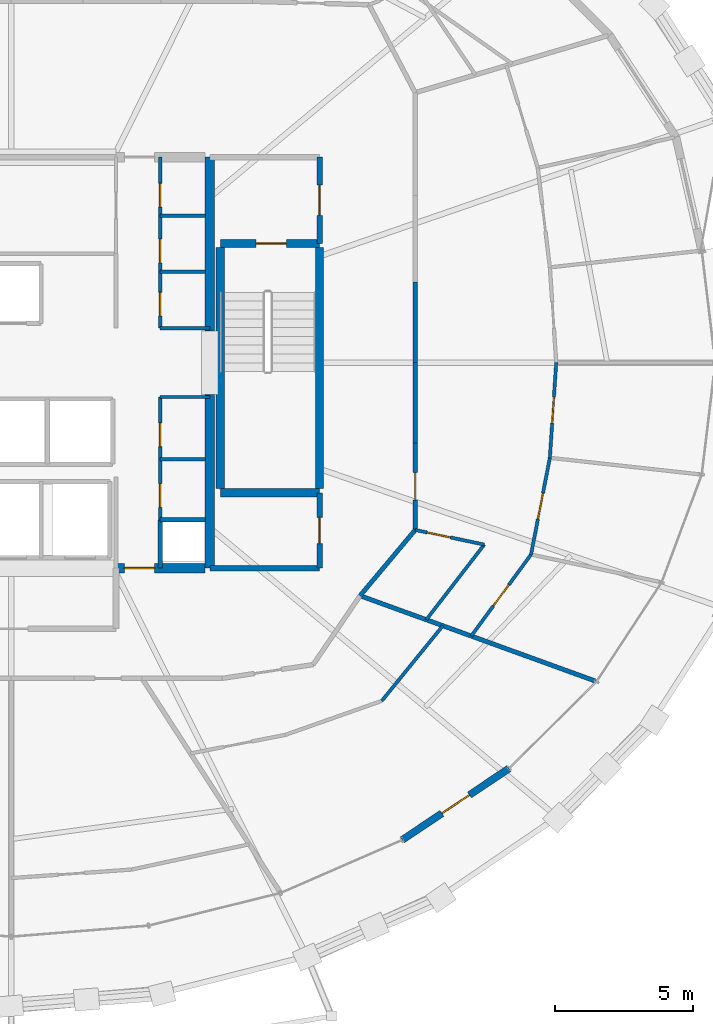
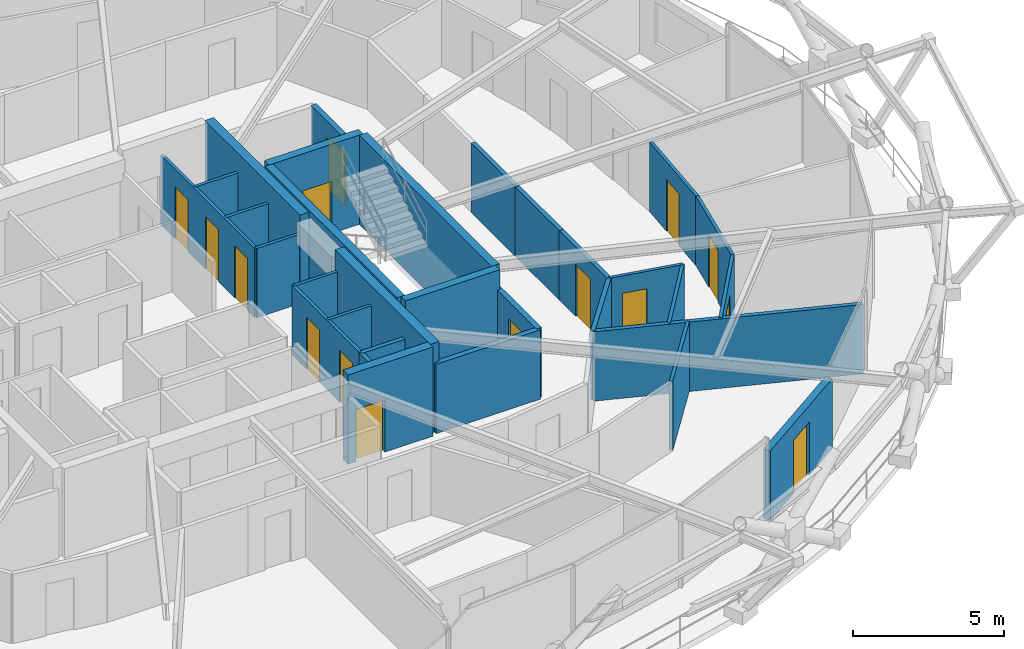
# One storey, part 16 of 20: 31 walls, 15 doors, 15 openings.
"""IFC4 building model written with IfcOpenShell, lengths in metres."""

from ifc_helpers import new_model, si_unit, direction, frame, frame_2d, origin, place, context, subcontext, project, spatial, rectangle, extrude, material, layer, layer_set, type_object, element, fill, save


model = new_model("IFC4")

# Units and contexts
model_context = context("Model", 3, precision=1e-05, world=origin(), true_north=direction((0.0, 1.0)))
body_context = subcontext(model_context, "Body", "Model", "MODEL_VIEW")
ifc_project = project(units=[si_unit("LENGTHUNIT", "METRE"), si_unit("AREAUNIT", "SQUARE_METRE"), si_unit("VOLUMEUNIT", "CUBIC_METRE"), si_unit("PLANEANGLEUNIT", "RADIAN"), si_unit("MASSUNIT", "GRAM", prefix="KILO")], contexts=[model_context])

# Site, building, storey
site_placement = place(None, origin())
site = spatial("IfcSite", under=ifc_project, at=site_placement, CompositionType="ELEMENT")
building_placement = place(site_placement, origin())
building = spatial("IfcBuilding", under=site, at=building_placement, Name="Veldorina Hangang Commons", CompositionType="ELEMENT")
storey_placement = place(building_placement, frame((0.0, 0.0, 171.199951171875)))
storey = spatial("IfcBuildingStorey", under=building, at=storey_placement, Name="L44", CompositionType="ELEMENT", Elevation=171.199951171875)

# Walls
ifc_material_1 = material(Name="Concrete C60/75", Category="concrete")
ifc_layer_1 = layer(ifc_material_1, 0.340087890625)
ifc_layer_set_1 = layer_set([ifc_layer_1], Name="Concrete C60/75")
wall_type_1 = type_object("IfcWallType", Name="CW-RC340-C60", PredefinedType="SHEAR", material=ifc_layer_set_1)
for number, where, z_axis, x_axis, name in (
    (1, (39.199951171875, 16.550048828125, 0.0), (0.0, 0.0, 1.0), (0.0, 1.0, 0.0), "L44 E south core shear wall"),
    (2, (39.199951171875, 25.14990234375, 0.0), (0.0, 0.0, 1.0), (0.0, 1.0, 0.0), "L44 E north core shear wall"),
):
    element("IfcWall", number, at=place(storey_placement, frame(where, z_axis=z_axis, x_axis=x_axis)), inside=storey, type_object=wall_type_1, Name=name, PredefinedType="SHEAR", context=body_context, shape_type="SweptSolid", body=[
        extrude(rectangle(XDim=6.300048828125, YDim=0.340087890625, at=frame_2d((3.14990234375, 0.0))), origin(), (0.0, 0.0, 1.0), 3.60009765625),
    ])

# Wall, opening, door
wall_1_placement = place(storey_placement, frame((35.800048828125, 16.550048828125, 0.0), z_axis=(0.0, 0.0, 1.0), x_axis=(1.0, 0.0, 0.0)))
wall_1 = element("IfcWall", 3, at=wall_1_placement, inside=storey, type_object=wall_type_1, Name="L44 south-east core shear wall", PredefinedType="SHEAR", context=body_context, shape_type="SweptSolid", body=[
    extrude(rectangle(XDim=3.22998046875, YDim=0.340087890625, at=frame_2d((1.614990234375, 0.0))), origin(), (0.0, 0.0, 1.0), 3.60009765625),
])
opening_1_placement = place(wall_1_placement, frame((0.300048828125, 0.0, 0.0)))
opening_1 = element("IfcOpeningElement", 4, at=opening_1_placement, cuts=wall_1, Name="Opening D-08", PredefinedType="OPENING", context=body_context, shape_type="SweptSolid", body=[
    extrude(rectangle(XDim=1.10009765625, YDim=2.10009765625, at=frame_2d((0.550048828125, 1.050048828125))), frame((0.0, 0.18017578125, 0.0), z_axis=(0.0, -1.0, 0.0), x_axis=(1.0, 0.0, 0.0)), (0.0, 0.0, 1.0), 0.360107421875),
])
ifc_material_2 = material(Name="Steel Fire-Rated Smoke Seal", Category="steel")
door_type_1 = type_object("IfcDoorType", Name="DR-FIRE-1100", OperationType="SINGLE_SWING_RIGHT", PredefinedType="DOOR", material=ifc_material_2)
door_1_placement = place(opening_1_placement, origin())
door_1 = element("IfcDoor", 5, at=door_1_placement, inside=storey, type_object=door_type_1, Name="L44 central lift lobby south corridor door", OperationType="SINGLE_SWING_RIGHT", OverallHeight=2.10009765625, OverallWidth=1.10009765625, PredefinedType="DOOR", context=body_context, shape_type="SweptSolid", body=[
    extrude(rectangle(XDim=1.10009765625, YDim=2.10009765625, at=frame_2d((0.550048828125, 1.050048828125))), frame((0.0, 0.02490234375, 0.0), z_axis=(0.0, -1.0, 0.0), x_axis=(1.0, 0.0, 0.0)), (0.0, 0.0, 1.0), 0.050048828125),
])
fill(opening_1, door_1)

ifc_material_3 = material(Name="Stone Roman Travertine", Category="masonry")
ifc_layer_2 = layer(ifc_material_3, 0.260009765625)
ifc_layer_set_2 = layer_set([ifc_layer_2], Name="Stone Roman Travertine")
wall_type_2 = type_object("IfcWallType", Name="EW-LOGGIA-260", PredefinedType="STANDARD", material=ifc_layer_set_2)
wall_2_placement = place(storey_placement, frame((46.1826171875, 6.694091796875, 0.0), z_axis=(0.0, 0.0, 1.0), x_axis=(0.831072563945, 0.556163998707, 0.0)))
wall_2 = element("IfcWall", 6, at=wall_2_placement, inside=storey, type_object=wall_type_2, Name="L44 sky-garden loggia portal wall 27", PredefinedType="STANDARD", context=body_context, shape_type="SweptSolid", body=[
    extrude(rectangle(XDim=4.654541015625, YDim=0.260009765625, at=frame_2d((2.3271484375, 0.0))), origin(), (0.0, 0.0, 1.0), 2.820068359375),
])
opening_2_placement = place(wall_2_placement, frame((1.727294921875, 0.0, 0.0)))
opening_2 = element("IfcOpeningElement", 7, at=opening_2_placement, cuts=wall_2, Name="Opening BD-1200", PredefinedType="OPENING", context=body_context, shape_type="SweptSolid", body=[
    extrude(rectangle(XDim=1.199951171875, YDim=2.14990234375, at=frame_2d((0.60009765625, 1.074951171875))), frame((0.0, 0.14013671875, 0.0), z_axis=(0.0, -1.0, 0.0), x_axis=(1.0, 0.0, 0.0)), (0.0, 0.0, 1.0), 0.280029296875),
])
ifc_material_4 = material(Name="Glass Thermal Aluminium Frame", Category="aluminium")
door_type_2 = type_object("IfcDoorType", Name="DR-EXT-LOG1200", OperationType="SINGLE_SWING_LEFT", PredefinedType="DOOR", material=ifc_material_4)
door_2_placement = place(opening_2_placement, origin())
door_2 = element("IfcDoor", 8, at=door_2_placement, inside=storey, type_object=door_type_2, Name="L44 loggia glazed exterior door 27", OperationType="SINGLE_SWING_RIGHT", OverallHeight=2.14990234375, OverallWidth=1.199951171875, PredefinedType="DOOR", context=body_context, shape_type="SweptSolid", body=[
    extrude(rectangle(XDim=1.199951171875, YDim=2.14990234375, at=frame_2d((0.60009765625, 1.074951171875))), frame((0.0, 0.02490234375, 0.0), z_axis=(0.0, -1.0, 0.0), x_axis=(1.0, 0.0, 0.0)), (0.0, 0.0, 1.0), 0.050048828125),
])
fill(opening_2, door_2)

# Walls
ifc_material_5 = material(Name="Concrete C50/60", Category="concrete")
ifc_layer_3 = layer(ifc_material_5, 0.300048828125)
ifc_layer_set_3 = layer_set([ifc_layer_3], Name="Concrete C50/60")
wall_type_3 = type_object("IfcWallType", Name="SW-STAIR-300", PredefinedType="SHEAR", material=ifc_layer_set_3)
for number, where, z_axis, x_axis, name in (
    (9, (43.179931640625, 19.429931640625, 0.0), (0.0, 0.0, 1.0), (0.0, 1.0, 0.0), "L44 ST2 outer stair shear wall"),
    (10, (39.580078125, 19.429931640625, 0.0), (0.0, 0.0, 1.0), (0.0, 1.0, 0.0), "L44 ST2 inner stair shear wall"),
):
    element("IfcWall", number, at=place(storey_placement, frame(where, z_axis=z_axis, x_axis=x_axis)), inside=storey, type_object=wall_type_3, Name=name, PredefinedType="SHEAR", context=body_context, shape_type="SweptSolid", body=[
        extrude(rectangle(XDim=8.739990234375, YDim=0.300048828125, at=frame_2d((4.3701171875, 0.0))), origin(), (0.0, 0.0, 1.0), 3.60009765625),
    ])
wall_3_placement = place(storey_placement, frame((39.580078125, 19.280029296875, 0.0), z_axis=(0.0, 0.0, 1.0), x_axis=(1.0, 0.0, 0.0)))
element("IfcWall", 11, at=wall_3_placement, inside=storey, type_object=wall_type_3, Name="L44 ST2 south stair shear wall", PredefinedType="SHEAR", context=body_context, shape_type="SweptSolid", body=[
    extrude(rectangle(XDim=3.599853515625, YDim=0.300048828125, at=frame_2d((1.7998046875, 0.0))), origin(), (0.0, 0.0, 1.0), 3.60009765625),
])

# Wall, opening, door
wall_4_placement = place(storey_placement, frame((39.580078125, 28.320068359375, 0.0), z_axis=(0.0, 0.0, 1.0), x_axis=(1.0, 0.0, 0.0)))
wall_4 = element("IfcWall", 12, at=wall_4_placement, inside=storey, type_object=wall_type_3, Name="L44 ST2 north stair shear wall", PredefinedType="SHEAR", context=body_context, shape_type="SweptSolid", body=[
    extrude(rectangle(XDim=3.599853515625, YDim=0.300048828125, at=frame_2d((1.7998046875, 0.0))), origin(), (0.0, 0.0, 1.0), 3.60009765625),
])
opening_3_placement = place(wall_4_placement, frame((1.300048828125, 0.0, 0.0)))
opening_3 = element("IfcOpeningElement", 13, at=opening_3_placement, cuts=wall_4, Name="Opening D-08", PredefinedType="OPENING", context=body_context, shape_type="SweptSolid", body=[
    extrude(rectangle(XDim=1.10009765625, YDim=2.10009765625, at=frame_2d((0.550048828125, 1.050048828125))), frame((0.0, 0.16015625, 0.0), z_axis=(0.0, -1.0, 0.0), x_axis=(1.0, 0.0, 0.0)), (0.0, 0.0, 1.0), 0.320068359375),
])
door_3_placement = place(opening_3_placement, origin())
door_3 = element("IfcDoor", 14, at=door_3_placement, inside=storey, type_object=door_type_1, Name="L44 Special Escape Stair ST-2 door", OperationType="SINGLE_SWING_RIGHT", OverallHeight=2.10009765625, OverallWidth=1.10009765625, PredefinedType="DOOR", context=body_context, shape_type="SweptSolid", body=[
    extrude(rectangle(XDim=1.10009765625, YDim=2.10009765625, at=frame_2d((0.550048828125, 1.050048828125))), frame((0.0, 0.02490234375, 0.0), z_axis=(0.0, -1.0, 0.0), x_axis=(1.0, 0.0, 0.0)), (0.0, 0.0, 1.0), 0.050048828125),
])
fill(opening_3, door_3)

# Walls
ifc_material_6 = material(Name="Gypsum Fire-Rated Twin Stud Wall", Category="gypsum")
ifc_layer_4 = layer(ifc_material_6, 0.159912109375)
ifc_layer_set_4 = layer_set([ifc_layer_4], Name="Gypsum Fire-Rated Twin Stud Wall")
wall_type_4 = type_object("IfcWallType", Name="WL-FIRE-160", PredefinedType="SOLIDWALL", material=ifc_layer_set_4)
wall_5_placement = place(storey_placement, frame((37.39990234375, 16.550048828125, 0.0), z_axis=(0.0, 0.0, 1.0), x_axis=(0.0, 1.0, 0.0)))
element("IfcWall", 15, at=wall_5_placement, inside=storey, type_object=wall_type_4, Name="L44 Lift passage SE stub 010", PredefinedType="SOLIDWALL", context=body_context, shape_type="SweptSolid", body=[
    extrude(rectangle(XDim=1.75, YDim=0.159912109375, at=frame_2d((0.875, 0.0))), origin(), (0.0, 0.0, 1.0), 2.800048828125),
])
wall_6_placement = place(storey_placement, frame((37.39990234375, 18.300048828125, 0.0), z_axis=(0.0, 0.0, 1.0), x_axis=(1.0, 0.0, 0.0)))
element("IfcWall", 16, at=wall_6_placement, inside=storey, type_object=wall_type_4, Name="L44 Plumbing riser wall 037", PredefinedType="SOLIDWALL", context=body_context, shape_type="SweptSolid", body=[
    extrude(rectangle(XDim=1.650146484375, YDim=0.159912109375, at=frame_2d((0.8251953125, 0.0))), origin(), (0.0, 0.0, 1.0), 2.800048828125),
])
wall_7_placement = place(storey_placement, frame((46.64990234375, 24.0, 0.0), z_axis=(0.0, 0.0, 1.0), x_axis=(0.0, 1.0, 0.0)))
element("IfcWall", 17, at=wall_7_placement, inside=storey, type_object=wall_type_4, Name="L44 U-corridor outer wall 00 050", PredefinedType="SOLIDWALL", context=body_context, shape_type="SweptSolid", body=[
    extrude(rectangle(XDim=2.9140625, YDim=0.159912109375, at=frame_2d((1.45703125, 0.0))), origin(), (0.0, 0.0, 1.0), 2.800048828125),
])
wall_8_placement = place(storey_placement, frame((44.64990234375, 15.547607421875, 0.0), z_axis=(0.0, 0.0, 1.0), x_axis=(0.642665742791, 0.76614668507, 0.0)))
element("IfcWall", 18, at=wall_8_placement, inside=storey, type_object=wall_type_4, Name="L44 U-corridor outer wall 29 079", PredefinedType="SOLIDWALL", context=body_context, shape_type="SweptSolid", body=[
    extrude(rectangle(XDim=3.112060546875, YDim=0.159912109375, at=frame_2d((1.55615234375, 0.0))), origin(), (0.0, 0.0, 1.0), 2.800048828125),
])

# Wall, opening, door
wall_9_placement = place(storey_placement, frame((46.64990234375, 17.931884765625, 0.0), z_axis=(0.0, 0.0, 1.0), x_axis=(0.0, 1.0, 0.0)))
wall_9 = element("IfcWall", 19, at=wall_9_placement, inside=storey, type_object=wall_type_4, Name="L44 U-corridor outer wall 30 080", PredefinedType="SOLIDWALL", context=body_context, shape_type="SweptSolid", body=[
    extrude(rectangle(XDim=3.154052734375, YDim=0.159912109375, at=frame_2d((1.5771484375, 0.0))), origin(), (0.0, 0.0, 1.0), 2.800048828125),
])
opening_4_placement = place(wall_9_placement, frame((1.0771484375, 0.0, 0.0)))
opening_4 = element("IfcOpeningElement", 20, at=opening_4_placement, cuts=wall_9, Name="Opening D-06", PredefinedType="OPENING", context=body_context, shape_type="SweptSolid", body=[
    extrude(rectangle(XDim=1.0, YDim=2.10009765625, at=frame_2d((0.5, 1.050048828125))), frame((0.0, 0.08984375, 0.0), z_axis=(0.0, -1.0, 0.0), x_axis=(1.0, 0.0, 0.0)), (0.0, 0.0, 1.0), 0.179931640625),
])
ifc_material_7 = material(Name="Timber Fire-Rated Entrance Core", Category="wood")
door_type_3 = type_object("IfcDoorType", Name="DR-UNIT-1000", OperationType="SINGLE_SWING_LEFT", PredefinedType="DOOR", material=ifc_material_7)
door_4_placement = place(opening_4_placement, origin())
door_4 = element("IfcDoor", 21, at=door_4_placement, inside=storey, type_object=door_type_3, Name="L44 Cluster 2 entrance door 025", OperationType="SINGLE_SWING_LEFT", OverallHeight=2.10009765625, OverallWidth=1.0, PredefinedType="DOOR", context=body_context, shape_type="SweptSolid", body=[
    extrude(rectangle(XDim=1.0, YDim=2.10009765625, at=frame_2d((0.5, 1.050048828125))), frame((0.0, 0.02490234375, 0.0), z_axis=(0.0, -1.0, 0.0), x_axis=(1.0, 0.0, 0.0)), (0.0, 0.0, 1.0), 0.050048828125),
])
fill(opening_4, door_4)

# Walls
wall_10_placement = place(storey_placement, frame((46.64990234375, 21.0859375, 0.0), z_axis=(0.0, 0.0, 1.0), x_axis=(0.0, 1.0, 0.0)))
element("IfcWall", 22, at=wall_10_placement, inside=storey, type_object=wall_type_4, Name="L44 U-corridor outer wall 31 081", PredefinedType="SOLIDWALL", context=body_context, shape_type="SweptSolid", body=[
    extrude(rectangle(XDim=2.9140625, YDim=0.159912109375, at=frame_2d((1.45703125, 0.0))), origin(), (0.0, 0.0, 1.0), 2.800048828125),
])
wall_11_placement = place(storey_placement, frame((44.64990234375, 15.547607421875, 0.0), z_axis=(0.0, 0.0, 1.0), x_axis=(0.940054778658, -0.341023478844, 0.0)))
element("IfcWall", 23, at=wall_11_placement, inside=storey, type_object=wall_type_4, Name="L44 Unit party wall 29 086", PredefinedType="SOLIDWALL", context=body_context, shape_type="SweptSolid", body=[
    extrude(rectangle(XDim=9.07275390625, YDim=0.159912109375, at=frame_2d((4.536376953125, 0.0))), origin(), (0.0, 0.0, 1.0), 2.800048828125),
])

# Wall, opening, door
ifc_material_8 = material(Name="Concrete Blockwork Fire Wall C30/37", Category="masonry")
ifc_layer_5 = layer(ifc_material_8, 0.199951171875)
ifc_layer_set_5 = layer_set([ifc_layer_5], Name="Concrete Blockwork Fire Wall C30/37")
wall_type_5 = type_object("IfcWallType", Name="WL-FIRE-200", PredefinedType="SOLIDWALL", material=ifc_layer_set_5)
wall_12_placement = place(storey_placement, frame((43.179931640625, 28.320068359375, 0.0), z_axis=(0.0, 0.0, 1.0), x_axis=(0.0, 1.0, 0.0)))
wall_12 = element("IfcWall", 24, at=wall_12_placement, inside=storey, type_object=wall_type_5, Name="L44 East vestibule outer wall 003", PredefinedType="SOLIDWALL", context=body_context, shape_type="SweptSolid", body=[
    extrude(rectangle(XDim=3.1298828125, YDim=0.199951171875, at=frame_2d((1.56494140625, 0.0))), origin(), (0.0, 0.0, 1.0), 2.800048828125),
])
opening_5_placement = place(wall_12_placement, frame((1.014892578125, 0.0, 0.0)))
opening_5 = element("IfcOpeningElement", 25, at=opening_5_placement, cuts=wall_12, Name="Opening D-08", PredefinedType="OPENING", context=body_context, shape_type="SweptSolid", body=[
    extrude(rectangle(XDim=1.10009765625, YDim=2.10009765625, at=frame_2d((0.550048828125, 1.050048828125))), frame((0.0, 0.10986328125, 0.0), z_axis=(0.0, -1.0, 0.0), x_axis=(1.0, 0.0, 0.0)), (0.0, 0.0, 1.0), 0.219970703125),
])
door_5_placement = place(opening_5_placement, origin())
door_5 = element("IfcDoor", 26, at=door_5_placement, inside=storey, type_object=door_type_1, Name="L44 East vestibule east door 002", OperationType="SINGLE_SWING_RIGHT", OverallHeight=2.10009765625, OverallWidth=1.10009765625, PredefinedType="DOOR", context=body_context, shape_type="SweptSolid", body=[
    extrude(rectangle(XDim=1.10009765625, YDim=2.10009765625, at=frame_2d((0.550048828125, 1.050048828125))), frame((0.0, 0.02490234375, 0.0), z_axis=(0.0, -1.0, 0.0), x_axis=(1.0, 0.0, 0.0)), (0.0, 0.0, 1.0), 0.050048828125),
])
fill(opening_5, door_5)

wall_13_placement = place(storey_placement, frame((43.179931640625, 16.550048828125, 0.0), z_axis=(0.0, 0.0, 1.0), x_axis=(0.0, 1.0, 0.0)))
wall_13 = element("IfcWall", 27, at=wall_13_placement, inside=storey, type_object=wall_type_5, Name="L44 SE core room outer wall 007", PredefinedType="SOLIDWALL", context=body_context, shape_type="SweptSolid", body=[
    extrude(rectangle(XDim=2.72998046875, YDim=0.199951171875, at=frame_2d((1.364990234375, 0.0))), origin(), (0.0, 0.0, 1.0), 2.800048828125),
])
opening_6_placement = place(wall_13_placement, frame((0.889892578125, 0.0, 0.0)))
opening_6 = element("IfcOpeningElement", 28, at=opening_6_placement, cuts=wall_13, Name="Opening D-02", PredefinedType="OPENING", context=body_context, shape_type="SweptSolid", body=[
    extrude(rectangle(XDim=0.949951171875, YDim=2.10009765625, at=frame_2d((0.47509765625, 1.050048828125))), frame((0.0, 0.10986328125, 0.0), z_axis=(0.0, -1.0, 0.0), x_axis=(1.0, 0.0, 0.0)), (0.0, 0.0, 1.0), 0.219970703125),
])
ifc_material_9 = material(Name="Timber Solid Core Acoustic", Category="wood")
door_type_4 = type_object("IfcDoorType", Name="DR-INT-950", OperationType="SINGLE_SWING_LEFT", PredefinedType="DOOR", material=ifc_material_9)
door_6_placement = place(opening_6_placement, origin())
door_6 = element("IfcDoor", 29, at=door_6_placement, inside=storey, type_object=door_type_4, Name="L44 SE core WC door 004", OperationType="SINGLE_SWING_RIGHT", OverallHeight=2.10009765625, OverallWidth=0.949951171875, PredefinedType="DOOR", context=body_context, shape_type="SweptSolid", body=[
    extrude(rectangle(XDim=0.949951171875, YDim=2.10009765625, at=frame_2d((0.47509765625, 1.050048828125))), frame((0.0, 0.02490234375, 0.0), z_axis=(0.0, -1.0, 0.0), x_axis=(1.0, 0.0, 0.0)), (0.0, 0.0, 1.0), 0.050048828125),
])
fill(opening_6, door_6)

# Wall
wall_14_placement = place(storey_placement, frame((39.199951171875, 16.550048828125, 0.0), z_axis=(0.0, 0.0, 1.0), x_axis=(1.0, 0.0, 0.0)))
element("IfcWall", 30, at=wall_14_placement, inside=storey, type_object=wall_type_5, Name="L44 SE core room south wall 008", PredefinedType="SOLIDWALL", context=body_context, shape_type="SweptSolid", body=[
    extrude(rectangle(XDim=3.97998046875, YDim=0.199951171875, at=frame_2d((1.989990234375, 0.0))), origin(), (0.0, 0.0, 1.0), 2.800048828125),
])

# Wall, openings, doors
ifc_material_10 = material(Name="Gypsum Acoustic Stud Partition", Category="gypsum")
ifc_layer_6 = layer(ifc_material_10, 0.1201171875)
ifc_layer_set_6 = layer_set([ifc_layer_6], Name="Gypsum Acoustic Stud Partition")
wall_type_6 = type_object("IfcWallType", Name="WL-PART-120", PredefinedType="PARTITIONING", material=ifc_layer_set_6)
wall_15_placement = place(storey_placement, frame((37.39990234375, 25.25, 0.0), z_axis=(0.0, 0.0, 1.0), x_axis=(0.0, 1.0, 0.0)))
wall_15 = element("IfcWall", 31, at=wall_15_placement, inside=storey, type_object=wall_type_6, Name="L44 NE strip lobby wall 041", PredefinedType="PARTITIONING", context=body_context, shape_type="SweptSolid", body=[
    extrude(rectangle(XDim=6.199951171875, YDim=0.1201171875, at=frame_2d((3.10009765625, 0.0))), origin(), (0.0, 0.0, 1.0), 2.800048828125),
])
opening_7_placement = place(wall_15_placement, frame((0.43994140625, 0.0, 0.0)))
opening_7 = element("IfcOpeningElement", 32, at=opening_7_placement, cuts=wall_15, Name="Opening D-01", PredefinedType="OPENING", context=body_context, shape_type="SweptSolid", body=[
    extrude(rectangle(XDim=0.860107421875, YDim=2.10009765625, at=frame_2d((0.43017578125, 1.050048828125))), frame((0.0, 0.070068359375, 0.0), z_axis=(0.0, -1.0, 0.0), x_axis=(1.0, 0.0, 0.0)), (0.0, 0.0, 1.0), 0.14013671875),
])
opening_8_placement = place(wall_15_placement, frame((2.3701171875, 0.0, 0.0)))
opening_8 = element("IfcOpeningElement", 33, at=opening_8_placement, cuts=wall_15, Name="Opening D-01", PredefinedType="OPENING", context=body_context, shape_type="SweptSolid", body=[
    extrude(rectangle(XDim=0.860107421875, YDim=2.10009765625, at=frame_2d((0.43017578125, 1.050048828125))), frame((0.0, 0.070068359375, 0.0), z_axis=(0.0, -1.0, 0.0), x_axis=(1.0, 0.0, 0.0)), (0.0, 0.0, 1.0), 0.14013671875),
])
opening_9_placement = place(wall_15_placement, frame((4.389892578125, 0.0, 0.0)))
opening_9 = element("IfcOpeningElement", 34, at=opening_9_placement, cuts=wall_15, Name="Opening D-01", PredefinedType="OPENING", context=body_context, shape_type="SweptSolid", body=[
    extrude(rectangle(XDim=0.860107421875, YDim=2.10009765625, at=frame_2d((0.43017578125, 1.050048828125))), frame((0.0, 0.070068359375, 0.0), z_axis=(0.0, -1.0, 0.0), x_axis=(1.0, 0.0, 0.0)), (0.0, 0.0, 1.0), 0.14013671875),
])
ifc_material_11 = material(Name="Timber Moisture-Resistant Core", Category="wood")
door_type_5 = type_object("IfcDoorType", Name="DR-WET-860", OperationType="SINGLE_SWING_LEFT", PredefinedType="DOOR", material=ifc_material_11)
door_7_placement = place(opening_7_placement, origin())
door_7 = element("IfcDoor", 35, at=door_7_placement, inside=storey, type_object=door_type_5, Name="L44 Fiber Riser Closet door 017", OperationType="SINGLE_SWING_LEFT", OverallHeight=2.10009765625, OverallWidth=0.860107421875, PredefinedType="DOOR", context=body_context, shape_type="SweptSolid", body=[
    extrude(rectangle(XDim=0.860107421875, YDim=2.10009765625, at=frame_2d((0.43017578125, 1.050048828125))), frame((0.0, 0.02490234375, 0.0), z_axis=(0.0, -1.0, 0.0), x_axis=(1.0, 0.0, 0.0)), (0.0, 0.0, 1.0), 0.050048828125),
])
fill(opening_7, door_7)
door_8_placement = place(opening_8_placement, origin())
door_8 = element("IfcDoor", 36, at=door_8_placement, inside=storey, type_object=door_type_5, Name="L44 AV Rack Closet door 018", OperationType="SINGLE_SWING_RIGHT", OverallHeight=2.10009765625, OverallWidth=0.860107421875, PredefinedType="DOOR", context=body_context, shape_type="SweptSolid", body=[
    extrude(rectangle(XDim=0.860107421875, YDim=2.10009765625, at=frame_2d((0.43017578125, 1.050048828125))), frame((0.0, 0.02490234375, 0.0), z_axis=(0.0, -1.0, 0.0), x_axis=(1.0, 0.0, 0.0)), (0.0, 0.0, 1.0), 0.050048828125),
])
fill(opening_8, door_8)
door_9_placement = place(opening_9_placement, origin())
door_9 = element("IfcDoor", 37, at=door_9_placement, inside=storey, type_object=door_type_5, Name="L44 Supply Closet door 019", OperationType="SINGLE_SWING_LEFT", OverallHeight=2.10009765625, OverallWidth=0.860107421875, PredefinedType="DOOR", context=body_context, shape_type="SweptSolid", body=[
    extrude(rectangle(XDim=0.860107421875, YDim=2.10009765625, at=frame_2d((0.43017578125, 1.050048828125))), frame((0.0, 0.02490234375, 0.0), z_axis=(0.0, -1.0, 0.0), x_axis=(1.0, 0.0, 0.0)), (0.0, 0.0, 1.0), 0.050048828125),
])
fill(opening_9, door_9)

# Wall
wall_16_placement = place(storey_placement, frame((37.39990234375, 25.25, 0.0), z_axis=(0.0, 0.0, 1.0), x_axis=(1.0, 0.0, 0.0)))
element("IfcWall", 38, at=wall_16_placement, inside=storey, type_object=wall_type_6, Name="L44 NE strip south return wall 042", PredefinedType="PARTITIONING", context=body_context, shape_type="SweptSolid", body=[
    extrude(rectangle(XDim=1.800048828125, YDim=0.1201171875, at=frame_2d((0.89990234375, 0.0))), origin(), (0.0, 0.0, 1.0), 2.800048828125),
])

# Wall, openings, doors
wall_17_placement = place(storey_placement, frame((37.39990234375, 18.300048828125, 0.0), z_axis=(0.0, 0.0, 1.0), x_axis=(0.0, 1.0, 0.0)))
wall_17 = element("IfcWall", 39, at=wall_17_placement, inside=storey, type_object=wall_type_6, Name="L44 SE strip lobby wall 043", PredefinedType="PARTITIONING", context=body_context, shape_type="SweptSolid", body=[
    extrude(rectangle(XDim=4.449951171875, YDim=0.1201171875, at=frame_2d((2.22509765625, 0.0))), origin(), (0.0, 0.0, 1.0), 2.800048828125),
])
opening_10_placement = place(wall_17_placement, frame((0.449951171875, 0.0, 0.0)))
opening_10 = element("IfcOpeningElement", 40, at=opening_10_placement, cuts=wall_17, Name="Opening D-01", PredefinedType="OPENING", context=body_context, shape_type="SweptSolid", body=[
    extrude(rectangle(XDim=0.860107421875, YDim=2.10009765625, at=frame_2d((0.43017578125, 1.050048828125))), frame((0.0, 0.070068359375, 0.0), z_axis=(0.0, -1.0, 0.0), x_axis=(1.0, 0.0, 0.0)), (0.0, 0.0, 1.0), 0.14013671875),
])
opening_11_placement = place(wall_17_placement, frame((2.64990234375, 0.0, 0.0)))
opening_11 = element("IfcOpeningElement", 41, at=opening_11_placement, cuts=wall_17, Name="Opening D-01", PredefinedType="OPENING", context=body_context, shape_type="SweptSolid", body=[
    extrude(rectangle(XDim=0.860107421875, YDim=2.10009765625, at=frame_2d((0.43017578125, 1.050048828125))), frame((0.0, 0.070068359375, 0.0), z_axis=(0.0, -1.0, 0.0), x_axis=(1.0, 0.0, 0.0)), (0.0, 0.0, 1.0), 0.14013671875),
])
door_10_placement = place(opening_10_placement, origin())
door_10 = element("IfcDoor", 42, at=door_10_placement, inside=storey, type_object=door_type_5, Name="L44 Janitor sink door 020", OperationType="SINGLE_SWING_RIGHT", OverallHeight=2.10009765625, OverallWidth=0.860107421875, PredefinedType="DOOR", context=body_context, shape_type="SweptSolid", body=[
    extrude(rectangle(XDim=0.860107421875, YDim=2.10009765625, at=frame_2d((0.43017578125, 1.050048828125))), frame((0.0, 0.02490234375, 0.0), z_axis=(0.0, -1.0, 0.0), x_axis=(1.0, 0.0, 0.0)), (0.0, 0.0, 1.0), 0.050048828125),
])
fill(opening_10, door_10)
door_11_placement = place(opening_11_placement, origin())
door_11 = element("IfcDoor", 43, at=door_11_placement, inside=storey, type_object=door_type_5, Name="L44 Fire panel door 021", OperationType="SINGLE_SWING_LEFT", OverallHeight=2.10009765625, OverallWidth=0.860107421875, PredefinedType="DOOR", context=body_context, shape_type="SweptSolid", body=[
    extrude(rectangle(XDim=0.860107421875, YDim=2.10009765625, at=frame_2d((0.43017578125, 1.050048828125))), frame((0.0, 0.02490234375, 0.0), z_axis=(0.0, -1.0, 0.0), x_axis=(1.0, 0.0, 0.0)), (0.0, 0.0, 1.0), 0.050048828125),
])
fill(opening_11, door_11)

# Walls
wall_18_placement = place(storey_placement, frame((37.39990234375, 22.75, 0.0), z_axis=(0.0, 0.0, 1.0), x_axis=(1.0, 0.0, 0.0)))
element("IfcWall", 44, at=wall_18_placement, inside=storey, type_object=wall_type_6, Name="L44 SE strip north return wall 044", PredefinedType="PARTITIONING", context=body_context, shape_type="SweptSolid", body=[
    extrude(rectangle(XDim=1.800048828125, YDim=0.1201171875, at=frame_2d((0.89990234375, 0.0))), origin(), (0.0, 0.0, 1.0), 2.800048828125),
])
for number, where, z_axis, x_axis, name in (
    (45, (37.39990234375, 27.300048828125, 0.0), (0.0, 0.0, 1.0), (1.0, 0.0, 0.0), "L44 NE split 1 047"),
    (46, (37.39990234375, 29.330078125, 0.0), (0.0, 0.0, 1.0), (1.0, 0.0, 0.0), "L44 NE split 2 048"),
    (47, (37.39990234375, 20.5, 0.0), (0.0, 0.0, 1.0), (1.0, 0.0, 0.0), "L44 SE horizontal split 049"),
):
    element("IfcWall", number, at=place(storey_placement, frame(where, z_axis=z_axis, x_axis=x_axis)), inside=storey, type_object=wall_type_6, Name=name, PredefinedType="PARTITIONING", context=body_context, shape_type="SweptSolid", body=[
        extrude(rectangle(XDim=1.650146484375, YDim=0.1201171875, at=frame_2d((0.8251953125, 0.0))), origin(), (0.0, 0.0, 1.0), 2.800048828125),
    ])
wall_19_placement = place(storey_placement, frame((45.435302734375, 11.7314453125, 0.0), z_axis=(0.0, 0.0, 1.0), x_axis=(0.630658007355, 0.776060872457, 0.0)))
element("IfcWall", 48, at=wall_19_placement, inside=storey, type_object=wall_type_6, Name="L44 Lounge alcove split 2 085", PredefinedType="PARTITIONING", context=body_context, shape_type="SweptSolid", body=[
    extrude(rectangle(XDim=3.51416015625, YDim=0.1201171875, at=frame_2d((1.757080078125, 0.0))), origin(), (0.0, 0.0, 1.0), 2.800048828125),
])
wall_20_placement = place(storey_placement, frame((47.05126953125, 14.676513671875, 0.0), z_axis=(0.0, 0.0, 1.0), x_axis=(0.61059875391, 0.791940125087, 0.0)))
element("IfcWall", 49, at=wall_20_placement, inside=storey, type_object=wall_type_6, Name="L44 Cluster 2 bath front wall 087", PredefinedType="PARTITIONING", context=body_context, shape_type="SweptSolid", body=[
    extrude(rectangle(XDim=3.439697265625, YDim=0.1201171875, at=frame_2d((1.7197265625, 0.0))), origin(), (0.0, 0.0, 1.0), 2.800048828125),
])

# Wall, opening, door
wall_21_placement = place(storey_placement, frame((46.64990234375, 17.931884765625, 0.0), z_axis=(0.0, 0.0, 1.0), x_axis=(0.978187712371, -0.207722890809, 0.0)))
wall_21 = element("IfcWall", 50, at=wall_21_placement, inside=storey, type_object=wall_type_6, Name="L44 Cluster 2 bath side wall 088", PredefinedType="PARTITIONING", context=body_context, shape_type="SweptSolid", body=[
    extrude(rectangle(XDim=2.557373046875, YDim=0.1201171875, at=frame_2d((1.27880859375, 0.0))), origin(), (0.0, 0.0, 1.0), 2.800048828125),
])
opening_12_placement = place(wall_21_placement, frame((0.43994140625, 0.0, 0.0)))
opening_12 = element("IfcOpeningElement", 51, at=opening_12_placement, cuts=wall_21, Name="Opening D-01", PredefinedType="OPENING", context=body_context, shape_type="SweptSolid", body=[
    extrude(rectangle(XDim=0.860107421875, YDim=2.10009765625, at=frame_2d((0.43017578125, 1.050048828125))), frame((0.0, 0.070068359375, 0.0), z_axis=(0.0, -1.0, 0.0), x_axis=(1.0, 0.0, 0.0)), (0.0, 0.0, 1.0), 0.14013671875),
])
door_12_placement = place(opening_12_placement, origin())
door_12 = element("IfcDoor", 52, at=door_12_placement, inside=storey, type_object=door_type_5, Name="L44 Cluster 2 shared bathroom door 024", OperationType="SINGLE_SWING_RIGHT", OverallHeight=2.10009765625, OverallWidth=0.860107421875, PredefinedType="DOOR", context=body_context, shape_type="SweptSolid", body=[
    extrude(rectangle(XDim=0.860107421875, YDim=2.10009765625, at=frame_2d((0.43017578125, 1.050048828125))), frame((0.0, 0.02490234375, 0.0), z_axis=(0.0, -1.0, 0.0), x_axis=(1.0, 0.0, 0.0)), (0.0, 0.0, 1.0), 0.050048828125),
])
fill(opening_12, door_12)

wall_22_placement = place(storey_placement, frame((48.680419921875, 14.08544921875, 0.0), z_axis=(0.0, 0.0, 1.0), x_axis=(0.591730322107, 0.806135984744, 0.0)))
wall_22 = element("IfcWall", 53, at=wall_22_placement, inside=storey, type_object=wall_type_6, Name="L44 Cluster 2 bed 1 front wall 089", PredefinedType="PARTITIONING", context=body_context, shape_type="SweptSolid", body=[
    extrude(rectangle(XDim=3.66552734375, YDim=0.1201171875, at=frame_2d((1.832763671875, 0.0))), origin(), (0.0, 0.0, 1.0), 2.800048828125),
])
opening_13_placement = place(wall_22_placement, frame((1.357666015625, 0.0, 0.0)))
opening_13 = element("IfcOpeningElement", 54, at=opening_13_placement, cuts=wall_22, Name="Opening D-02", PredefinedType="OPENING", context=body_context, shape_type="SweptSolid", body=[
    extrude(rectangle(XDim=0.949951171875, YDim=2.10009765625, at=frame_2d((0.47509765625, 1.050048828125))), frame((0.0, 0.070068359375, 0.0), z_axis=(0.0, -1.0, 0.0), x_axis=(1.0, 0.0, 0.0)), (0.0, 0.0, 1.0), 0.14013671875),
])
door_13_placement = place(opening_13_placement, origin())
door_13 = element("IfcDoor", 55, at=door_13_placement, inside=storey, type_object=door_type_4, Name="L44 Cluster 2 bed 1 door 026", OperationType="SINGLE_SWING_RIGHT", OverallHeight=2.10009765625, OverallWidth=0.949951171875, PredefinedType="DOOR", context=body_context, shape_type="SweptSolid", body=[
    extrude(rectangle(XDim=0.949951171875, YDim=2.10009765625, at=frame_2d((0.47509765625, 1.050048828125))), frame((0.0, 0.02490234375, 0.0), z_axis=(0.0, -1.0, 0.0), x_axis=(1.0, 0.0, 0.0)), (0.0, 0.0, 1.0), 0.050048828125),
])
fill(opening_13, door_13)

wall_23_placement = place(storey_placement, frame((50.849365234375, 17.040283203125, 0.0), z_axis=(0.0, 0.0, 1.0), x_axis=(0.191067194274, 0.981576959424, 0.0)))
wall_23 = element("IfcWall", 56, at=wall_23_placement, inside=storey, type_object=wall_type_6, Name="L44 Cluster 2 bed 2 front wall 090", PredefinedType="PARTITIONING", context=body_context, shape_type="SweptSolid", body=[
    extrude(rectangle(XDim=3.57275390625, YDim=0.1201171875, at=frame_2d((1.786376953125, 0.0))), origin(), (0.0, 0.0, 1.0), 2.800048828125),
])
opening_14_placement = place(wall_23_placement, frame((1.311279296875, 0.0, 0.0)))
opening_14 = element("IfcOpeningElement", 57, at=opening_14_placement, cuts=wall_23, Name="Opening D-02", PredefinedType="OPENING", context=body_context, shape_type="SweptSolid", body=[
    extrude(rectangle(XDim=0.949951171875, YDim=2.10009765625, at=frame_2d((0.47509765625, 1.050048828125))), frame((0.0, 0.070068359375, 0.0), z_axis=(0.0, -1.0, 0.0), x_axis=(1.0, 0.0, 0.0)), (0.0, 0.0, 1.0), 0.14013671875),
])
door_14_placement = place(opening_14_placement, origin())
door_14 = element("IfcDoor", 58, at=door_14_placement, inside=storey, type_object=door_type_4, Name="L44 Cluster 2 bed 2 door 027", OperationType="SINGLE_SWING_LEFT", OverallHeight=2.10009765625, OverallWidth=0.949951171875, PredefinedType="DOOR", context=body_context, shape_type="SweptSolid", body=[
    extrude(rectangle(XDim=0.949951171875, YDim=2.10009765625, at=frame_2d((0.47509765625, 1.050048828125))), frame((0.0, 0.02490234375, 0.0), z_axis=(0.0, -1.0, 0.0), x_axis=(1.0, 0.0, 0.0)), (0.0, 0.0, 1.0), 0.050048828125),
])
fill(opening_14, door_14)

wall_24_placement = place(storey_placement, frame((51.531982421875, 20.547119140625, 0.0), z_axis=(0.0, 0.0, 1.0), x_axis=(0.066668848455, 0.99777515736, 0.0)))
wall_24 = element("IfcWall", 59, at=wall_24_placement, inside=storey, type_object=wall_type_6, Name="L44 Cluster 2 bed 3 front wall 092", PredefinedType="PARTITIONING", context=body_context, shape_type="SweptSolid", body=[
    extrude(rectangle(XDim=3.460693359375, YDim=0.1201171875, at=frame_2d((1.73046875, 0.0))), origin(), (0.0, 0.0, 1.0), 2.800048828125),
])
opening_15_placement = place(wall_24_placement, frame((1.25537109375, 0.0, 0.0)))
opening_15 = element("IfcOpeningElement", 60, at=opening_15_placement, cuts=wall_24, Name="Opening D-02", PredefinedType="OPENING", context=body_context, shape_type="SweptSolid", body=[
    extrude(rectangle(XDim=0.949951171875, YDim=2.10009765625, at=frame_2d((0.47509765625, 1.050048828125))), frame((0.0, 0.070068359375, 0.0), z_axis=(0.0, -1.0, 0.0), x_axis=(1.0, 0.0, 0.0)), (0.0, 0.0, 1.0), 0.14013671875),
])
door_15_placement = place(opening_15_placement, origin())
door_15 = element("IfcDoor", 61, at=door_15_placement, inside=storey, type_object=door_type_4, Name="L44 Cluster 2 bed 3 door 028", OperationType="SINGLE_SWING_RIGHT", OverallHeight=2.10009765625, OverallWidth=0.949951171875, PredefinedType="DOOR", context=body_context, shape_type="SweptSolid", body=[
    extrude(rectangle(XDim=0.949951171875, YDim=2.10009765625, at=frame_2d((0.47509765625, 1.050048828125))), frame((0.0, 0.02490234375, 0.0), z_axis=(0.0, -1.0, 0.0), x_axis=(1.0, 0.0, 0.0)), (0.0, 0.0, 1.0), 0.050048828125),
])
fill(opening_15, door_15)

save(model, "model.ifc")
